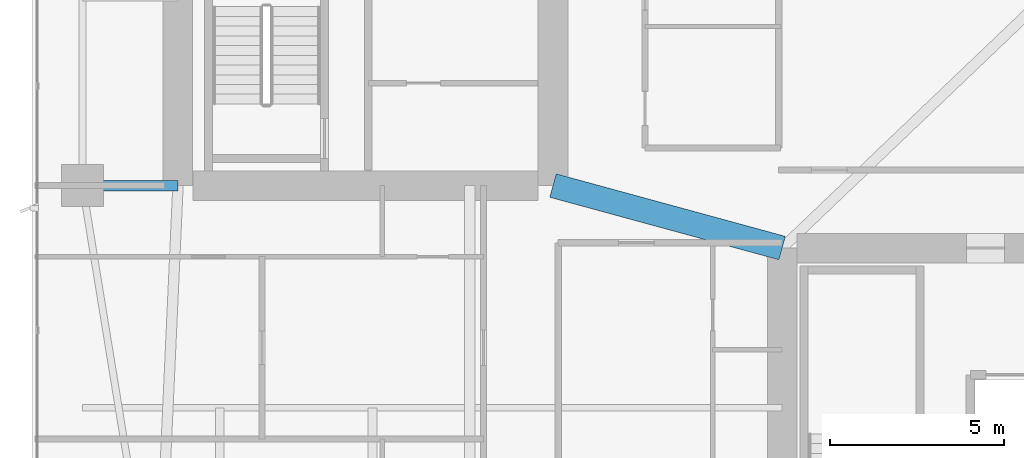
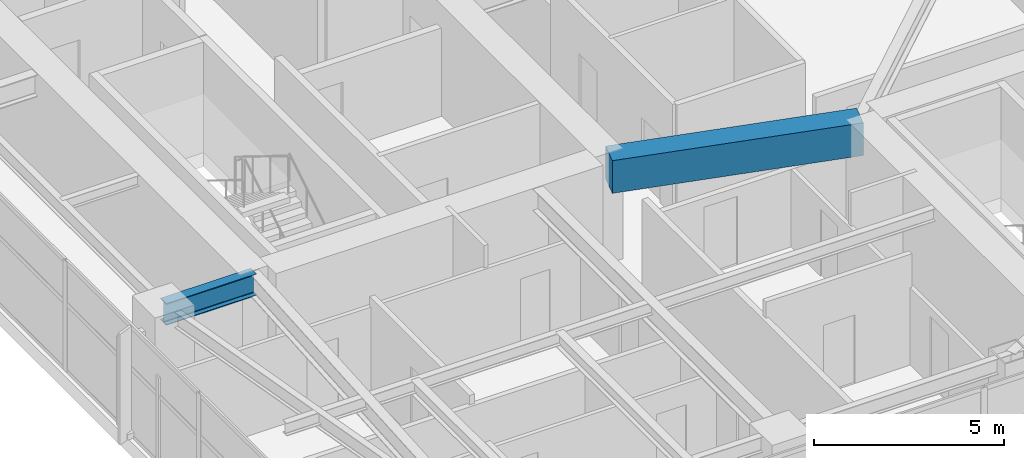
# One storey, part 7 of 28: 2 beams.
"""IFC4 building model written with IfcOpenShell, lengths in metres."""

from ifc_helpers import new_model, si_unit, direction, frame, origin, origin_2d, place, context, subcontext, project, spatial, rectangle, i_section, extrude, material, material_profile, profile_set, type_object, element, save


model = new_model("IFC4")

# Units and contexts
model_context = context("Model", 3, precision=1e-05, world=origin(), true_north=direction((0.0, 1.0)))
body_context = subcontext(model_context, "Body", "Model", "MODEL_VIEW")
ifc_project = project(units=[si_unit("LENGTHUNIT", "METRE"), si_unit("AREAUNIT", "SQUARE_METRE"), si_unit("VOLUMEUNIT", "CUBIC_METRE"), si_unit("PLANEANGLEUNIT", "RADIAN"), si_unit("MASSUNIT", "GRAM", prefix="KILO")], contexts=[model_context])

# Site, building, storey
site_placement = place(None, origin())
site = spatial("IfcSite", under=ifc_project, at=site_placement, CompositionType="ELEMENT")
building_placement = place(site_placement, origin())
building = spatial("IfcBuilding", under=site, at=building_placement, Name="Calvorn Quay Hotel", CompositionType="ELEMENT")
storey_placement = place(building_placement, frame((0.0, 0.0, 97.39990234375)))
storey = spatial("IfcBuildingStorey", under=building, at=storey_placement, Name="L23", CompositionType="ELEMENT", Elevation=97.39990234375)

# Beams
ifc_material_1 = material(Name="Steel Q390GJC", Category="steel")
ifc_material_profile_1 = material_profile(ifc_material_1, i_section(OverallWidth=0.300048828125, OverallDepth=0.699951171875, WebThickness=0.012939453125, FlangeThickness=0.02392578125, FilletRadius=0.02392578125, at=origin_2d()), Name="HN700x300x13x24")
ifc_profile_set_1 = profile_set([ifc_material_profile_1], Name="Steel Q390GJC")
beam_type_1 = type_object("IfcBeamType", Name="BM-GIRD-MAIN", PredefinedType="BEAM", material=ifc_profile_set_1)
beam_1_placement = place(storey_placement, frame((1.449951171875, 16.800048828125, 3.190185546875), z_axis=(1.0, 0.0, 0.0), x_axis=(0.0, 1.0, 0.0)))
element("IfcBeam", 1, at=beam_1_placement, inside=storey, type_object=beam_type_1, Name="Beam BG-L23-W1", PredefinedType="BEAM", context=body_context, shape_type="SweptSolid", body=[
    extrude(i_section(OverallWidth=0.300048828125, OverallDepth=0.699951171875, WebThickness=0.012939453125, FlangeThickness=0.02392578125, FilletRadius=0.02392578125, at=origin_2d()), origin(), (0.0, 0.0, 1.0), 2.75),
])
ifc_material_2 = material(Name="Concrete C50", Category="concrete")
ifc_material_profile_2 = material_profile(ifc_material_2, rectangle(XDim=0.699951171875, YDim=1.050048828125, at=origin_2d()), Name="RCB700x1050")
ifc_profile_set_2 = profile_set([ifc_material_profile_2], Name="Concrete C50")
beam_type_2 = type_object("IfcBeamType", Name="BM-RC-LINK-700x1050", PredefinedType="BEAM", material=ifc_profile_set_2)
beam_2_placement = place(storey_placement, frame((15.0, 16.800048828125, 3.01513671875), z_axis=(0.964762997686, -0.263120425462, 0.0), x_axis=(0.263120425462, 0.964762997686, 0.0)))
element("IfcBeam", 2, at=beam_2_placement, inside=storey, type_object=beam_type_2, Name="Beam BCL-L23-01", PredefinedType="BEAM", context=body_context, shape_type="SweptSolid", body=[
    extrude(rectangle(XDim=0.699951171875, YDim=1.050048828125, at=origin_2d()), origin(), (0.0, 0.0, 1.0), 6.841064453125),
])

save(model, "model.ifc")
